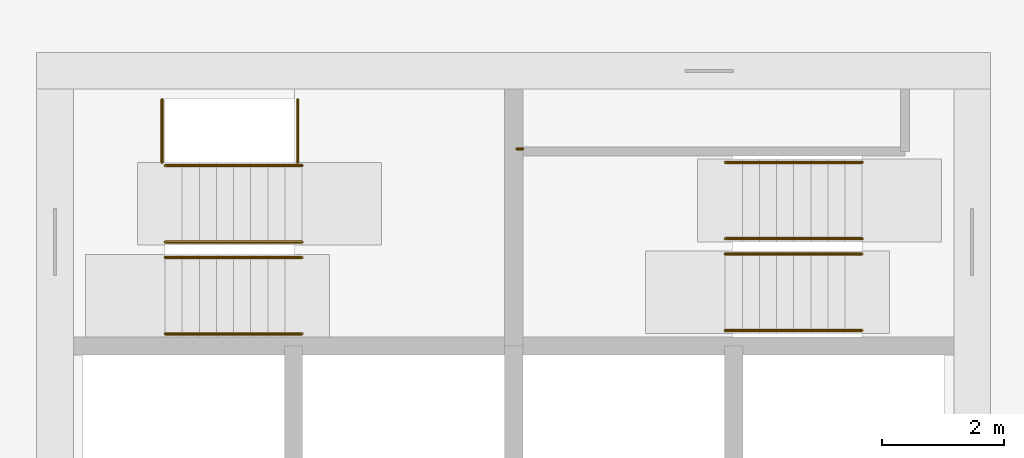
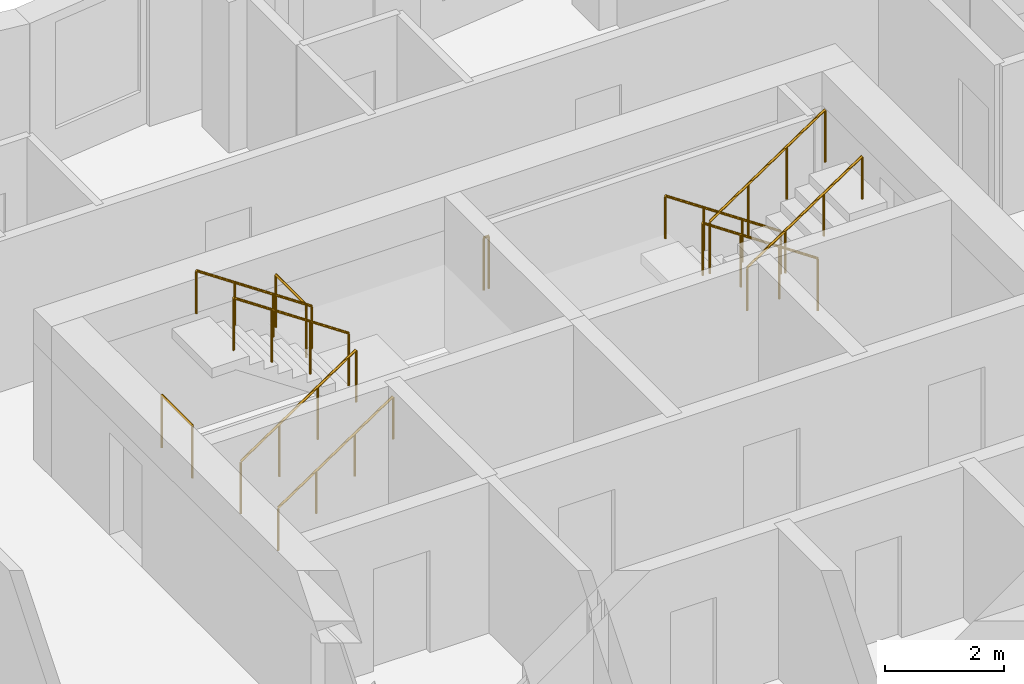
# One storey, part 11 of 12: 11 railings.
"""IFC4 building model written with IfcOpenShell, lengths in metres."""

from ifc_helpers import new_model, si_unit, direction, frame, origin, origin_2d, place, context, subcontext, project, spatial, circle, extrude, material, type_object, element, save


model = new_model("IFC4")

# Units and contexts
model_context = context("Model", 3, precision=1e-05, world=origin(), true_north=direction((0.0, 1.0)))
body_context = subcontext(model_context, "Body", "Model", "MODEL_VIEW")
ifc_project = project(units=[si_unit("LENGTHUNIT", "METRE"), si_unit("AREAUNIT", "SQUARE_METRE"), si_unit("VOLUMEUNIT", "CUBIC_METRE"), si_unit("PLANEANGLEUNIT", "RADIAN"), si_unit("MASSUNIT", "GRAM", prefix="KILO")], contexts=[model_context])

# Site, building, storey
site_placement = place(None, origin())
site = spatial("IfcSite", under=ifc_project, at=site_placement, CompositionType="ELEMENT")
building_placement = place(site_placement, origin())
building = spatial("IfcBuilding", under=site, at=building_placement, Name="Windrow Commons", CompositionType="ELEMENT")
storey_placement = place(building_placement, frame((0.0, 0.0, 155.8)))
storey = spatial("IfcBuildingStorey", under=building, at=storey_placement, Name="L42", CompositionType="ELEMENT", Elevation=155.8)

# Railings
ifc_material_1 = material(Name="Steel S355", Category="steel")
railing_type_1 = type_object("IfcRailingType", Name="Core stair guard 1100", PredefinedType="GUARDRAIL", material=ifc_material_1)
railing_1_placement = place(storey_placement, frame((59.1, 62.05, 0.1889)))
element("IfcRailing", 1, at=railing_1_placement, inside=storey, type_object=railing_type_1, Name="L42 ST-A1 stair guard 1", PredefinedType="GUARDRAIL", context=body_context, shape_type="SweptSolid", body=[
    extrude(circle(Radius=0.024, at=origin_2d()), frame((0.0, 0.0, 1.076), z_axis=(0.8290030985, 0.0, 0.5592440099), x_axis=(0.0, 1.0, 0.0)), (0.0, 0.0, 1.0), 2.702),
    extrude(circle(Radius=0.021, at=origin_2d()), origin(), (0.0, 0.0, 1.0), 1.052),
    extrude(circle(Radius=0.021, at=origin_2d()), frame((0.7467, 0.0, 0.5037)), (0.0, 0.0, 1.0), 1.052),
    extrude(circle(Radius=0.021, at=origin_2d()), frame((1.4933, 0.0, 1.0074)), (0.0, 0.0, 1.0), 1.052),
    extrude(circle(Radius=0.021, at=origin_2d()), frame((2.24, 0.0, 1.5111)), (0.0, 0.0, 1.0), 1.052),
])
railing_2_placement = place(storey_placement, frame((61.34, 62.3, 1.8889)))
element("IfcRailing", 2, at=railing_2_placement, inside=storey, type_object=railing_type_1, Name="L42 ST-A1 stair guard 2", PredefinedType="GUARDRAIL", context=body_context, shape_type="SweptSolid", body=[
    extrude(circle(Radius=0.024, at=origin_2d()), frame((0.0, 0.0, 1.076), z_axis=(-0.8290030985, 0.0, 0.5592440099), x_axis=(0.0, -1.0, 0.0)), (0.0, 0.0, 1.0), 2.702),
    extrude(circle(Radius=0.021, at=origin_2d()), origin(), (0.0, 0.0, 1.0), 1.052),
    extrude(circle(Radius=0.021, at=origin_2d()), frame((-0.7467, 0.0, 0.5037)), (0.0, 0.0, 1.0), 1.052),
    extrude(circle(Radius=0.021, at=origin_2d()), frame((-1.4933, 0.0, 1.0074)), (0.0, 0.0, 1.0), 1.052),
    extrude(circle(Radius=0.021, at=origin_2d()), frame((-2.24, 0.0, 1.5111)), (0.0, 0.0, 1.0), 1.052),
])
for number, where, name in (
    (3, (59.05, 63.6, 0.0), "L42 ST-A1 stair guard 3"),
    (4, (61.27, 63.6, 1.7), "L42 ST-A1 stair guard 4"),
):
    element("IfcRailing", number, at=place(storey_placement, frame(where)), inside=storey, type_object=railing_type_1, Name=name, PredefinedType="GUARDRAIL", context=body_context, shape_type="SweptSolid", body=[
        extrude(circle(Radius=0.024, at=origin_2d()), frame((0.0, 0.0, 1.076), z_axis=(0.0, 1.0, 0.0), x_axis=(-1.0, 0.0, 0.0)), (0.0, 0.0, 1.0), 1.03),
        extrude(circle(Radius=0.021, at=origin_2d()), origin(), (0.0, 0.0, 1.0), 1.052),
        extrude(circle(Radius=0.021, at=origin_2d()), frame((0.0, 1.03, 0.0)), (0.0, 0.0, 1.0), 1.052),
    ])
railing_3_placement = place(storey_placement, frame((70.5, 62.355, 0.1889)))
element("IfcRailing", 5, at=railing_3_placement, inside=storey, type_object=railing_type_1, Name="L42 ST-A2 stair guard 1", PredefinedType="GUARDRAIL", context=body_context, shape_type="SweptSolid", body=[
    extrude(circle(Radius=0.024, at=origin_2d()), frame((0.0, 0.0, 1.076), z_axis=(-0.8290030985, 0.0, 0.5592440099), x_axis=(0.0, -1.0, 0.0)), (0.0, 0.0, 1.0), 2.702),
    extrude(circle(Radius=0.021, at=origin_2d()), origin(), (0.0, 0.0, 1.0), 1.052),
    extrude(circle(Radius=0.021, at=origin_2d()), frame((-0.7467, 0.0, 0.5037)), (0.0, 0.0, 1.0), 1.052),
    extrude(circle(Radius=0.021, at=origin_2d()), frame((-1.4933, 0.0, 1.0074)), (0.0, 0.0, 1.0), 1.052),
    extrude(circle(Radius=0.021, at=origin_2d()), frame((-2.24, 0.0, 1.5111)), (0.0, 0.0, 1.0), 1.052),
])
railing_4_placement = place(storey_placement, frame((68.26, 62.105, 1.8889)))
element("IfcRailing", 6, at=railing_4_placement, inside=storey, type_object=railing_type_1, Name="L42 ST-A2 stair guard 2", PredefinedType="GUARDRAIL", context=body_context, shape_type="SweptSolid", body=[
    extrude(circle(Radius=0.024, at=origin_2d()), frame((0.0, 0.0, 1.076), z_axis=(0.8290030985, 0.0, 0.5592440099), x_axis=(0.0, 1.0, 0.0)), (0.0, 0.0, 1.0), 2.702),
    extrude(circle(Radius=0.021, at=origin_2d()), origin(), (0.0, 0.0, 1.0), 1.052),
    extrude(circle(Radius=0.021, at=origin_2d()), frame((0.7467, 0.0, 0.5037)), (0.0, 0.0, 1.0), 1.052),
    extrude(circle(Radius=0.021, at=origin_2d()), frame((1.4933, 0.0, 1.0074)), (0.0, 0.0, 1.0), 1.052),
    extrude(circle(Radius=0.021, at=origin_2d()), frame((2.24, 0.0, 1.5111)), (0.0, 0.0, 1.0), 1.052),
])
railing_5_placement = place(storey_placement, frame((64.95, 63.825, 1.7)))
element("IfcRailing", 7, at=railing_5_placement, inside=storey, type_object=railing_type_1, Name="L42 ST-A2 stair guard 3", PredefinedType="GUARDRAIL", context=body_context, shape_type="SweptSolid", body=[
    extrude(circle(Radius=0.024, at=origin_2d()), frame((0.0, 0.0, 1.076), z_axis=(-1.0, 0.0, 0.0), x_axis=(0.0, -1.0, 0.0)), (0.0, 0.0, 1.0), 0.1),
    extrude(circle(Radius=0.021, at=origin_2d()), origin(), (0.0, 0.0, 1.0), 1.052),
    extrude(circle(Radius=0.021, at=origin_2d()), frame((-0.1, 0.0, 0.0)), (0.0, 0.0, 1.0), 1.052),
])
ifc_material_2 = material(Name="Steel S355", Category="steel")
railing_type_2 = type_object("IfcRailingType", Name="Core stair handrail 900", PredefinedType="HANDRAIL", material=ifc_material_2)
railing_6_placement = place(storey_placement, frame((59.1, 60.8, 0.1889)))
element("IfcRailing", 8, at=railing_6_placement, inside=storey, type_object=railing_type_2, Name="L42 ST-A1 stair handrail 1", PredefinedType="HANDRAIL", context=body_context, shape_type="SweptSolid", body=[
    extrude(circle(Radius=0.024, at=origin_2d()), frame((0.0, 0.0, 0.876), z_axis=(0.8290030985, 0.0, 0.5592440099), x_axis=(0.0, 1.0, 0.0)), (0.0, 0.0, 1.0), 2.702),
    extrude(circle(Radius=0.021, at=origin_2d()), origin(), (0.0, 0.0, 1.0), 0.852),
    extrude(circle(Radius=0.021, at=origin_2d()), frame((0.7467, 0.0, 0.5037)), (0.0, 0.0, 1.0), 0.852),
    extrude(circle(Radius=0.021, at=origin_2d()), frame((1.4933, 0.0, 1.0074)), (0.0, 0.0, 1.0), 0.852),
    extrude(circle(Radius=0.021, at=origin_2d()), frame((2.24, 0.0, 1.5111)), (0.0, 0.0, 1.0), 0.852),
])
for number, where, name in (
    (9, (61.34, 63.55, 1.8889), "L42 ST-A1 stair handrail 2"),
    (10, (70.5, 63.605, 0.1889), "L42 ST-A2 stair handrail 1"),
):
    element("IfcRailing", number, at=place(storey_placement, frame(where)), inside=storey, type_object=railing_type_2, Name=name, PredefinedType="HANDRAIL", context=body_context, shape_type="SweptSolid", body=[
        extrude(circle(Radius=0.024, at=origin_2d()), frame((0.0, 0.0, 0.876), z_axis=(-0.8290030985, 0.0, 0.5592440099), x_axis=(0.0, -1.0, 0.0)), (0.0, 0.0, 1.0), 2.702),
        extrude(circle(Radius=0.021, at=origin_2d()), origin(), (0.0, 0.0, 1.0), 0.852),
        extrude(circle(Radius=0.021, at=origin_2d()), frame((-0.7467, 0.0, 0.5037)), (0.0, 0.0, 1.0), 0.852),
        extrude(circle(Radius=0.021, at=origin_2d()), frame((-1.4933, 0.0, 1.0074)), (0.0, 0.0, 1.0), 0.852),
        extrude(circle(Radius=0.021, at=origin_2d()), frame((-2.24, 0.0, 1.5111)), (0.0, 0.0, 1.0), 0.852),
    ])
railing_7_placement = place(storey_placement, frame((68.26, 60.855, 1.8889)))
element("IfcRailing", 11, at=railing_7_placement, inside=storey, type_object=railing_type_2, Name="L42 ST-A2 stair handrail 2", PredefinedType="HANDRAIL", context=body_context, shape_type="SweptSolid", body=[
    extrude(circle(Radius=0.024, at=origin_2d()), frame((0.0, 0.0, 0.876), z_axis=(0.8290030985, 0.0, 0.5592440099), x_axis=(0.0, 1.0, 0.0)), (0.0, 0.0, 1.0), 2.702),
    extrude(circle(Radius=0.021, at=origin_2d()), origin(), (0.0, 0.0, 1.0), 0.852),
    extrude(circle(Radius=0.021, at=origin_2d()), frame((0.7467, 0.0, 0.5037)), (0.0, 0.0, 1.0), 0.852),
    extrude(circle(Radius=0.021, at=origin_2d()), frame((1.4933, 0.0, 1.0074)), (0.0, 0.0, 1.0), 0.852),
    extrude(circle(Radius=0.021, at=origin_2d()), frame((2.24, 0.0, 1.5111)), (0.0, 0.0, 1.0), 0.852),
])

save(model, "model.ifc")
